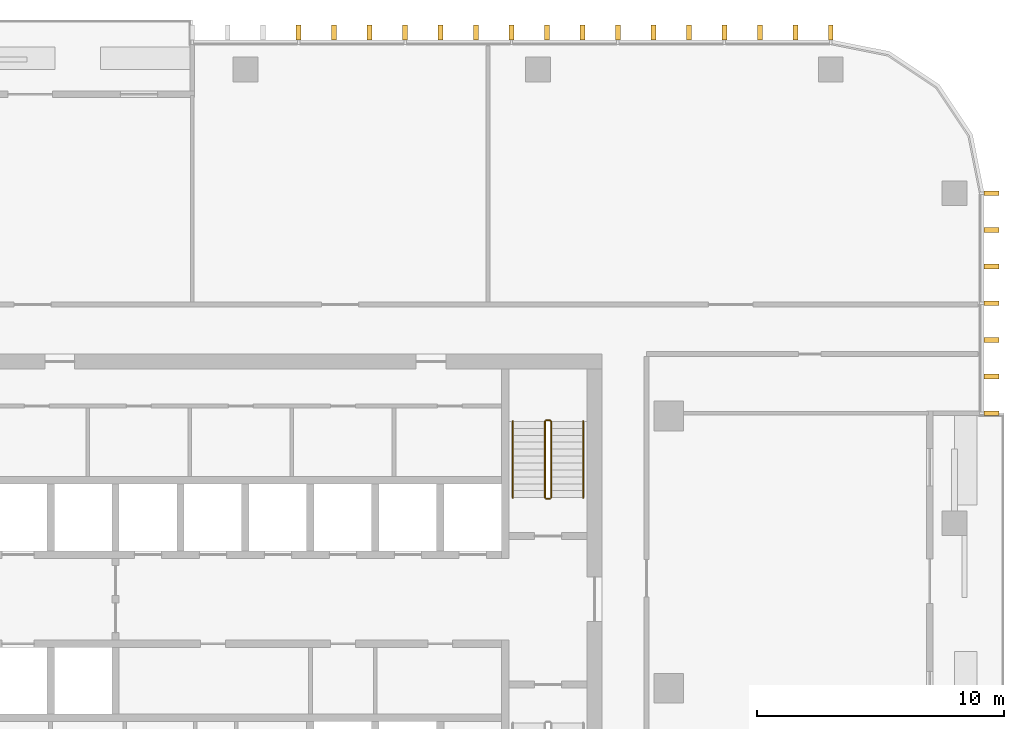
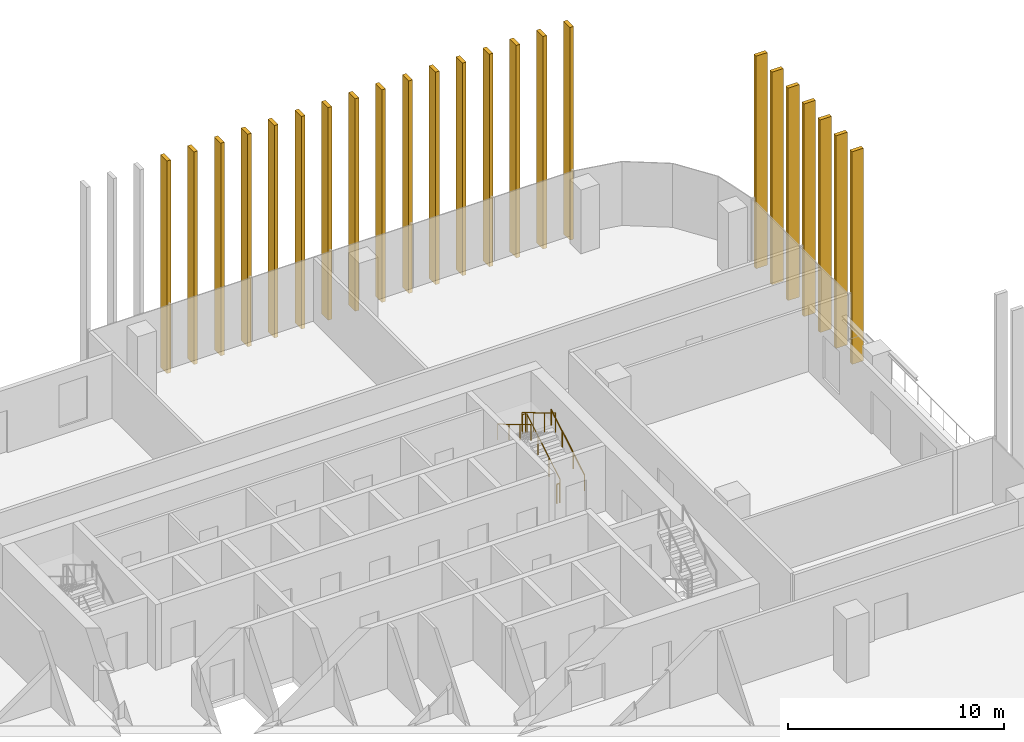
# One storey, part 16 of 16: 23 shading devices, 5 railings.
"""IFC4 building model written with IfcOpenShell, lengths in metres."""

from ifc_helpers import new_model, si_unit, direction, frame, origin, origin_2d, place, context, subcontext, project, spatial, rectangle, circle, extrude, material, type_object, element, save


model = new_model("IFC4")

# Units and contexts
model_context = context("Model", 3, precision=1e-05, world=origin(), true_north=direction((0.0, 1.0)))
body_context = subcontext(model_context, "Body", "Model", "MODEL_VIEW")
ifc_project = project(units=[si_unit("LENGTHUNIT", "METRE"), si_unit("AREAUNIT", "SQUARE_METRE"), si_unit("VOLUMEUNIT", "CUBIC_METRE"), si_unit("PLANEANGLEUNIT", "RADIAN"), si_unit("MASSUNIT", "GRAM", prefix="KILO")], contexts=[model_context])

# Site, building, storey
site_placement = place(None, origin())
site = spatial("IfcSite", under=ifc_project, at=site_placement, CompositionType="ELEMENT")
building_placement = place(site_placement, origin())
building = spatial("IfcBuilding", under=site, at=building_placement, Name="Mopane Tessera Tower", CompositionType="ELEMENT")
storey_placement = place(building_placement, frame((0.0, 0.0, 291.39990234375)))
storey = spatial("IfcBuildingStorey", under=building, at=storey_placement, Name="L63", CompositionType="ELEMENT", Elevation=291.39990234375)

# Shading devices
ifc_material_1 = material(Name="Glazed ceramic tile")
shading_device_type = type_object("IfcShadingDeviceType", Name="Ceramic tile fin 600 x 200 mm", PredefinedType="USERDEFINED", material=ifc_material_1)
for number, where, z_axis, x_axis, name in (
    (1, (30.14990234375, 11.111083984375, -0.39990234375), (0.0, 0.0, 1.0), (0.0, 1.0, 0.0), "e:fin:L63:E:7:0"),
    (2, (30.14990234375, 12.592529296875, -0.39990234375), (0.0, 0.0, 1.0), (0.0, 1.0, 0.0), "e:fin:L63:E:7:1"),
    (3, (30.14990234375, 14.073974609375, -0.39990234375), (0.0, 0.0, 1.0), (0.0, 1.0, 0.0), "e:fin:L63:E:7:2"),
    (4, (30.14990234375, 15.5556640625, -0.39990234375), (0.0, 0.0, 1.0), (0.0, 1.0, 0.0), "e:fin:L63:E:8:0"),
    (5, (30.14990234375, 17.037109375, -0.39990234375), (0.0, 0.0, 1.0), (0.0, 1.0, 0.0), "e:fin:L63:E:8:1"),
    (6, (30.14990234375, 18.5185546875, -0.39990234375), (0.0, 0.0, 1.0), (0.0, 1.0, 0.0), "e:fin:L63:E:8:2"),
    (7, (30.14990234375, 20.0, -0.39990234375), (0.0, 0.0, 1.0), (0.0, 1.0, 0.0), "e:fin:L63:E:8:3"),
    (8, (23.64990234375, 26.5, -0.39990234375), (0.0, 0.0, 1.0), (-1.0, 0.0, 0.0), "e:fin:L63:N:0:0"),
    (9, (22.216552734375, 26.5, -0.39990234375), (0.0, 0.0, 1.0), (-1.0, 0.0, 0.0), "e:fin:L63:N:0:1"),
    (10, (20.783447265625, 26.5, -0.39990234375), (0.0, 0.0, 1.0), (-1.0, 0.0, 0.0), "e:fin:L63:N:0:2"),
    (11, (19.35009765625, 26.5, -0.39990234375), (0.0, 0.0, 1.0), (-1.0, 0.0, 0.0), "e:fin:L63:N:1:0"),
    (12, (17.916748046875, 26.5, -0.39990234375), (0.0, 0.0, 1.0), (-1.0, 0.0, 0.0), "e:fin:L63:N:1:1"),
    (13, (16.4833984375, 26.5, -0.39990234375), (0.0, 0.0, 1.0), (-1.0, 0.0, 0.0), "e:fin:L63:N:1:2"),
    (14, (15.050048828125, 26.5, -0.39990234375), (0.0, 0.0, 1.0), (-1.0, 0.0, 0.0), "e:fin:L63:N:2:0"),
    (15, (13.61669921875, 26.5, -0.39990234375), (0.0, 0.0, 1.0), (-1.0, 0.0, 0.0), "e:fin:L63:N:2:1"),
    (16, (12.183349609375, 26.5, -0.39990234375), (0.0, 0.0, 1.0), (-1.0, 0.0, 0.0), "e:fin:L63:N:2:2"),
    (17, (10.75, 26.5, -0.39990234375), (0.0, 0.0, 1.0), (-1.0, 0.0, 0.0), "e:fin:L63:N:3:0"),
    (18, (9.316650390625, 26.5, -0.39990234375), (0.0, 0.0, 1.0), (-1.0, 0.0, 0.0), "e:fin:L63:N:3:1"),
    (19, (7.88330078125, 26.5, -0.39990234375), (0.0, 0.0, 1.0), (-1.0, 0.0, 0.0), "e:fin:L63:N:3:2"),
    (20, (6.449951171875, 26.5, -0.39990234375), (0.0, 0.0, 1.0), (-1.0, 0.0, 0.0), "e:fin:L63:N:4:0"),
    (21, (5.0166015625, 26.5, -0.39990234375), (0.0, 0.0, 1.0), (-1.0, 0.0, 0.0), "e:fin:L63:N:4:1"),
    (22, (3.583251953125, 26.5, -0.39990234375), (0.0, 0.0, 1.0), (-1.0, 0.0, 0.0), "e:fin:L63:N:4:2"),
    (23, (2.14990234375, 26.5, -0.39990234375), (0.0, 0.0, 1.0), (-1.0, 0.0, 0.0), "e:fin:L63:N:5:0"),
):
    element("IfcShadingDevice", number, at=place(storey_placement, frame(where, z_axis=z_axis, x_axis=x_axis)), inside=storey, type_object=shading_device_type, Name=name, ObjectType="FIN", PredefinedType="USERDEFINED", context=body_context, shape_type="SweptSolid", body=[
        extrude(rectangle(XDim=0.199951171875, YDim=0.60009765625, at=origin_2d()), origin(), (0.0, 0.0, 1.0), 12.0),
    ])

# Railings
ifc_material_2 = material(Name="Powder-coated steel balustrade", Category="steel")
railing_type_1 = type_object("IfcRailingType", Name="Escape stair guard 1100 mm", PredefinedType="GUARDRAIL", material=ifc_material_2)
railing_1_placement = place(storey_placement, frame((12.35009765625, 7.699951171875, 0.166748046875)))
element("IfcRailing", 24, at=railing_1_placement, inside=storey, type_object=railing_type_1, Name="L63 ST4 stair guard 1", PredefinedType="GUARDRAIL", context=body_context, shape_type="SweptSolid", body=[
    extrude(circle(Radius=0.02392578125, at=origin_2d()), frame((0.0, 0.0, 1.076171875), z_axis=(0.0, 0.859308565015, 0.511457515432), x_axis=(-1.0, 0.0, 0.0)), (0.0, 0.0, 1.0), 3.58447265625),
    extrude(circle(Radius=0.02392578125, at=origin_2d()), frame((0.0, 3.080078125, 2.9091796875), z_axis=(-0.707106781187, 0.707106781187, 0.0), x_axis=(-0.707106781187, -0.707106781187, 0.0)), (0.0, 0.0, 1.0), 0.07080078125),
    extrude(circle(Radius=0.02392578125, at=origin_2d()), frame((-0.050048828125, 3.130126953125, 2.9091796875), z_axis=(-1.0, 0.0, 0.0), x_axis=(0.0, -1.0, 0.0)), (0.0, 0.0, 1.0), 0.150146484375),
    extrude(circle(Radius=0.02099609375, at=origin_2d()), origin(), (0.0, 0.0, 1.0), 1.052001953125),
    extrude(circle(Radius=0.02099609375, at=origin_2d()), frame((0.0, 1.026611328125, 0.611083984375)), (0.0, 0.0, 1.0), 1.052001953125),
    extrude(circle(Radius=0.02099609375, at=origin_2d()), frame((0.0, 2.053466796875, 1.22216796875)), (0.0, 0.0, 1.0), 1.052001953125),
    extrude(circle(Radius=0.02099609375, at=origin_2d()), frame((0.0, 3.080078125, 1.833251953125)), (0.0, 0.0, 1.0), 1.052001953125),
    extrude(circle(Radius=0.02099609375, at=origin_2d()), frame((-0.050048828125, 3.130126953125, 1.833251953125)), (0.0, 0.0, 1.0), 1.052001953125),
    extrude(circle(Radius=0.02099609375, at=origin_2d()), frame((-0.2001953125, 3.130126953125, 1.833251953125)), (0.0, 0.0, 1.0), 1.052001953125),
])
railing_2_placement = place(storey_placement, frame((12.10009765625, 10.780029296875, 2.166748046875)))
element("IfcRailing", 25, at=railing_2_placement, inside=storey, type_object=railing_type_1, Name="L63 ST4 stair guard 2", PredefinedType="GUARDRAIL", context=body_context, shape_type="SweptSolid", body=[
    extrude(circle(Radius=0.02392578125, at=origin_2d()), frame((0.0, 0.0, 1.076171875), z_axis=(0.0, -0.859308565015, 0.511457515432), x_axis=(1.0, 0.0, 0.0)), (0.0, 0.0, 1.0), 3.58447265625),
    extrude(circle(Radius=0.02099609375, at=origin_2d()), origin(), (0.0, 0.0, 1.0), 1.052001953125),
    extrude(circle(Radius=0.02099609375, at=origin_2d()), frame((0.0, -1.026611328125, 0.611083984375)), (0.0, 0.0, 1.0), 1.052001953125),
    extrude(circle(Radius=0.02099609375, at=origin_2d()), frame((0.0, -2.053466796875, 1.22216796875)), (0.0, 0.0, 1.0), 1.052001953125),
    extrude(circle(Radius=0.02099609375, at=origin_2d()), frame((0.0, -3.080078125, 1.833251953125)), (0.0, 0.0, 1.0), 1.052001953125),
])
railing_3_placement = place(storey_placement, frame((12.300048828125, 7.64990234375, 0.0)))
element("IfcRailing", 26, at=railing_3_placement, inside=storey, type_object=railing_type_1, Name="L63 ST4 stair guard 3", PredefinedType="GUARDRAIL", context=body_context, shape_type="SweptSolid", body=[
    extrude(circle(Radius=0.02392578125, at=origin_2d()), frame((0.0, 0.0, 1.076171875), z_axis=(-1.0, 0.0, 0.0), x_axis=(0.0, -1.0, 0.0)), (0.0, 0.0, 1.0), 0.150146484375),
    extrude(circle(Radius=0.02099609375, at=origin_2d()), origin(), (0.0, 0.0, 1.0), 1.052001953125),
    extrude(circle(Radius=0.02099609375, at=origin_2d()), frame((-0.150146484375, 0.0, 0.0)), (0.0, 0.0, 1.0), 1.052001953125),
])
ifc_material_3 = material(Name="Powder-coated steel balustrade", Category="steel")
railing_type_2 = type_object("IfcRailingType", Name="Escape stair handrail 900 mm", PredefinedType="HANDRAIL", material=ifc_material_3)
railing_4_placement = place(storey_placement, frame((13.64990234375, 7.699951171875, 0.166748046875)))
element("IfcRailing", 27, at=railing_4_placement, inside=storey, type_object=railing_type_2, Name="L63 ST4 stair handrail 1", PredefinedType="HANDRAIL", context=body_context, shape_type="SweptSolid", body=[
    extrude(circle(Radius=0.02392578125, at=origin_2d()), frame((0.0, 0.0, 0.8759765625), z_axis=(0.0, 0.859308565015, 0.511457515432), x_axis=(-1.0, 0.0, 0.0)), (0.0, 0.0, 1.0), 3.58447265625),
    extrude(circle(Radius=0.02099609375, at=origin_2d()), origin(), (0.0, 0.0, 1.0), 0.851806640625),
    extrude(circle(Radius=0.02099609375, at=origin_2d()), frame((0.0, 1.026611328125, 0.611083984375)), (0.0, 0.0, 1.0), 0.851806640625),
    extrude(circle(Radius=0.02099609375, at=origin_2d()), frame((0.0, 2.053466796875, 1.22216796875)), (0.0, 0.0, 1.0), 0.851806640625),
    extrude(circle(Radius=0.02099609375, at=origin_2d()), frame((0.0, 3.080078125, 1.833251953125)), (0.0, 0.0, 1.0), 0.851806640625),
])
railing_5_placement = place(storey_placement, frame((10.800048828125, 10.780029296875, 2.166748046875)))
element("IfcRailing", 28, at=railing_5_placement, inside=storey, type_object=railing_type_2, Name="L63 ST4 stair handrail 2", PredefinedType="HANDRAIL", context=body_context, shape_type="SweptSolid", body=[
    extrude(circle(Radius=0.02392578125, at=origin_2d()), frame((0.0, 0.0, 0.8759765625), z_axis=(0.0, -0.859308565015, 0.511457515432), x_axis=(1.0, 0.0, 0.0)), (0.0, 0.0, 1.0), 3.58447265625),
    extrude(circle(Radius=0.02099609375, at=origin_2d()), origin(), (0.0, 0.0, 1.0), 0.851806640625),
    extrude(circle(Radius=0.02099609375, at=origin_2d()), frame((0.0, -1.026611328125, 0.611083984375)), (0.0, 0.0, 1.0), 0.851806640625),
    extrude(circle(Radius=0.02099609375, at=origin_2d()), frame((0.0, -2.053466796875, 1.22216796875)), (0.0, 0.0, 1.0), 0.851806640625),
    extrude(circle(Radius=0.02099609375, at=origin_2d()), frame((0.0, -3.080078125, 1.833251953125)), (0.0, 0.0, 1.0), 0.851806640625),
])

save(model, "model.ifc")
